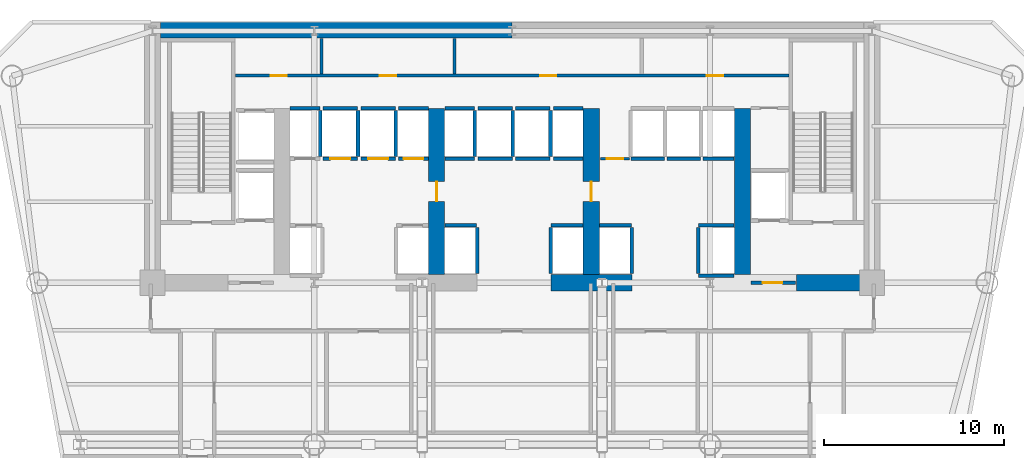
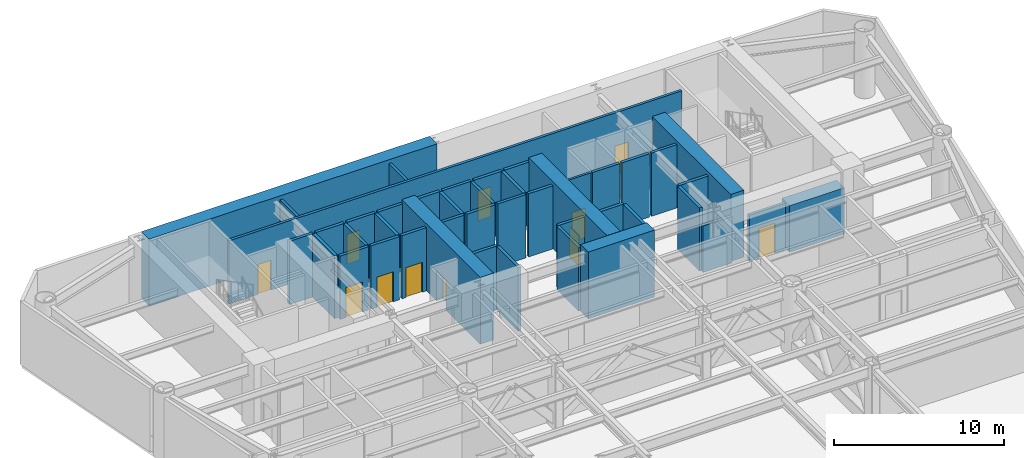
# One storey, part 5 of 10: 44 walls, 11 doors, 11 openings.
"""IFC4 building model written with IfcOpenShell, lengths in metres."""

from ifc_helpers import new_model, si_unit, direction, frame, frame_2d, origin, place, context, subcontext, project, spatial, rectangle, extrude, source, transform, mapped, material, layer, layer_set, type_object, element, fill, save


model = new_model("IFC4")

# Units and contexts
model_context = context("Model", 3, precision=1e-05, world=origin(), true_north=direction((0.0, 1.0)))
body_context = subcontext(model_context, "Body", "Model", "MODEL_VIEW")
ifc_project = project(units=[si_unit("LENGTHUNIT", "METRE"), si_unit("AREAUNIT", "SQUARE_METRE"), si_unit("VOLUMEUNIT", "CUBIC_METRE"), si_unit("PLANEANGLEUNIT", "RADIAN"), si_unit("MASSUNIT", "GRAM", prefix="KILO")], contexts=[model_context])

# Site, building, storey
site_placement = place(None, origin())
site = spatial("IfcSite", under=ifc_project, at=site_placement, CompositionType="ELEMENT")
building_placement = place(site_placement, origin())
building = spatial("IfcBuilding", under=site, at=building_placement, Name="Vaeldorn Concourse Tower", CompositionType="ELEMENT")
storey_placement = place(building_placement, frame((0.0, 0.0, 83.39990234375)))
storey = spatial("IfcBuildingStorey", under=building, at=storey_placement, Name="L21", CompositionType="ELEMENT", Elevation=83.39990234375)

# Walls
ifc_material_1 = material(Name="Concrete C60/75", Category="concrete")
ifc_layer_1 = layer(ifc_material_1, 0.89990234375)
ifc_layer_set_1 = layer_set([ifc_layer_1], Name="Concrete C60/75")
wall_type_1 = type_object("IfcWallType", Name="WL-CORE-900", PredefinedType="SHEAR", material=ifc_layer_set_1)
wall_1_placement = place(storey_placement, frame((14.4541015625, 50.550048828125, 0.0), z_axis=(0.0, 0.0, 1.0), x_axis=(1.0, 0.0, 0.0)))
element("IfcWall", 1, at=wall_1_placement, inside=storey, type_object=wall_type_1, Name="Rear Core Shear Wall L21 N1", PredefinedType="SHEAR", context=body_context, shape_type="SweptSolid", body=[
    extrude(rectangle(XDim=19.5439453125, YDim=0.89990234375, at=frame_2d((9.77197265625, 0.0))), origin(), (0.0, 0.0, 1.0), 4.800048828125),
])
wall_2_placement = place(storey_placement, frame((36.14990234375, 36.5, 0.0), z_axis=(0.0, 0.0, 1.0), x_axis=(1.0, 0.0, 0.0)))
element("IfcWall", 2, at=wall_2_placement, inside=storey, type_object=wall_type_1, Name="Rear Core Shear Wall L21 S3", PredefinedType="SHEAR", context=body_context, shape_type="SweptSolid", body=[
    extrude(rectangle(XDim=4.5, YDim=0.89990234375, at=frame_2d((2.25, 0.0))), origin(), (0.0, 0.0, 1.0), 4.800048828125),
])
wall_3_placement = place(storey_placement, frame((49.800048828125, 36.5, 0.0), z_axis=(0.0, 0.0, 1.0), x_axis=(1.0, 0.0, 0.0)))
element("IfcWall", 3, at=wall_3_placement, inside=storey, type_object=wall_type_1, Name="Rear Core Shear Wall L21 S4", PredefinedType="SHEAR", context=body_context, shape_type="SweptSolid", body=[
    extrude(rectangle(XDim=3.72998046875, YDim=0.89990234375, at=frame_2d((1.864990234375, 0.0))), origin(), (0.0, 0.0, 1.0), 3.340087890625),
])

# Wall, opening, door
wall_4_placement = place(storey_placement, frame((29.800048828125, 36.969970703125, 0.0), z_axis=(0.0, 0.0, 1.0), x_axis=(0.0, 1.0, 0.0)))
wall_4 = element("IfcWall", 4, at=wall_4_placement, inside=storey, type_object=wall_type_1, Name="Rear Core Shear Wall L21 M2", PredefinedType="SHEAR", context=body_context, shape_type="SweptSolid", body=[
    extrude(rectangle(XDim=9.22998046875, YDim=0.89990234375, at=frame_2d((4.614990234375, 0.0))), origin(), (0.0, 0.0, 1.0), 4.800048828125),
])
opening_1_placement = place(wall_4_placement, frame((4.050048828125, 0.0, 0.0)))
opening_1 = element("IfcOpeningElement", 5, at=opening_1_placement, cuts=wall_4, Name="Opening D-01", PredefinedType="OPENING", context=body_context, shape_type="SweptSolid", body=[
    extrude(rectangle(XDim=1.10009765625, YDim=2.14990234375, at=frame_2d((0.550048828125, 1.074951171875))), frame((0.0, 0.4599609375, 0.0), z_axis=(0.0, -1.0, 0.0), x_axis=(1.0, 0.0, 0.0)), (0.0, 0.0, 1.0), 0.919921875),
])
ifc_material_2 = material(Name="Fire-Rated Timber and Steel Leaf", Category="steel")
door_type_1 = type_object("IfcDoorType", Name="DR-FD60-1100", OperationType="NOTDEFINED", PredefinedType="DOOR", material=ifc_material_2)
shared_shape_1 = source(origin(), body_context, "Body", "SweptSolid", [
    extrude(rectangle(XDim=1.10009765625, YDim=2.14990234375, at=frame_2d((0.550048828125, 1.074951171875))), frame((0.0, 0.02490234375, 0.0), z_axis=(0.0, -1.0, 0.0), x_axis=(1.0, 0.0, 0.0)), (0.0, 0.0, 1.0), 0.050048828125),
])
door_1_placement = place(opening_1_placement, origin())
door_1 = element("IfcDoor", 6, at=door_1_placement, inside=storey, type_object=door_type_1, Name="Interior Door DR-L21-CBM2", OperationType="SINGLE_SWING_LEFT", OverallHeight=2.14990234375, OverallWidth=1.10009765625, PredefinedType="DOOR", context=body_context, shape_type="MappedRepresentation", body=[
    mapped(shared_shape_1, transform((0.0, 0.0, 0.0), scale=1.0)),
])
fill(opening_1, door_1)

wall_5_placement = place(storey_placement, frame((38.39990234375, 36.969970703125, 0.0), z_axis=(0.0, 0.0, 1.0), x_axis=(0.0, 1.0, 0.0)))
wall_5 = element("IfcWall", 7, at=wall_5_placement, inside=storey, type_object=wall_type_1, Name="Rear Core Shear Wall L21 M3", PredefinedType="SHEAR", context=body_context, shape_type="SweptSolid", body=[
    extrude(rectangle(XDim=9.22998046875, YDim=0.89990234375, at=frame_2d((4.614990234375, 0.0))), origin(), (0.0, 0.0, 1.0), 4.800048828125),
])
opening_2_placement = place(wall_5_placement, frame((4.050048828125, 0.0, 0.0)))
opening_2 = element("IfcOpeningElement", 8, at=opening_2_placement, cuts=wall_5, Name="Opening D-01", PredefinedType="OPENING", context=body_context, shape_type="SweptSolid", body=[
    extrude(rectangle(XDim=1.10009765625, YDim=2.14990234375, at=frame_2d((0.550048828125, 1.074951171875))), frame((0.0, 0.4599609375, 0.0), z_axis=(0.0, -1.0, 0.0), x_axis=(1.0, 0.0, 0.0)), (0.0, 0.0, 1.0), 0.919921875),
])
door_2_placement = place(opening_2_placement, origin())
door_2 = element("IfcDoor", 9, at=door_2_placement, inside=storey, type_object=door_type_1, Name="Interior Door DR-L21-CBM3", OperationType="SINGLE_SWING_RIGHT", OverallHeight=2.14990234375, OverallWidth=1.10009765625, PredefinedType="DOOR", context=body_context, shape_type="MappedRepresentation", body=[
    mapped(shared_shape_1, transform((0.0, 0.0, 0.0), scale=1.0)),
])
fill(opening_2, door_2)

# Wall
wall_6_placement = place(storey_placement, frame((46.800048828125, 36.969970703125, 0.0), z_axis=(0.0, 0.0, 1.0), x_axis=(0.0, 1.0, 0.0)))
element("IfcWall", 10, at=wall_6_placement, inside=storey, type_object=wall_type_1, Name="Rear Core Shear Wall L21 M4", PredefinedType="SHEAR", context=body_context, shape_type="SweptSolid", body=[
    extrude(rectangle(XDim=9.22998046875, YDim=0.89990234375, at=frame_2d((4.614990234375, 0.0))), origin(), (0.0, 0.0, 1.0), 4.800048828125),
])

# Wall, opening, door
ifc_material_3 = material(Name="Gypsum Board Partition", Category="gypsum")
ifc_layer_2 = layer(ifc_material_3, 0.14990234375)
ifc_layer_set_2 = layer_set([ifc_layer_2], Name="Gypsum Board Partition")
wall_type_2 = type_object("IfcWallType", Name="WL-PART-150", PredefinedType="PARTITIONING", material=ifc_layer_set_2)
wall_7_placement = place(storey_placement, frame((38.919921875, 43.39990234375, 0.0), z_axis=(0.0, 0.0, 1.0), x_axis=(1.0, 0.0, 0.0)))
wall_7 = element("IfcWall", 11, at=wall_7_placement, inside=storey, type_object=wall_type_2, Name="Interior Wall CW-L21-CCLINK", PredefinedType="PARTITIONING", context=body_context, shape_type="SweptSolid", body=[
    extrude(rectangle(XDim=1.60009765625, YDim=0.14990234375, at=frame_2d((0.800048828125, 0.0))), origin(), (0.0, 0.0, 1.0), 4.5400390625),
])
opening_3_placement = place(wall_7_placement, frame((0.35009765625, 0.0, 0.0)))
opening_3 = element("IfcOpeningElement", 12, at=opening_3_placement, cuts=wall_7, Name="Opening D-02", PredefinedType="OPENING", context=body_context, shape_type="SweptSolid", body=[
    extrude(rectangle(XDim=0.89990234375, YDim=2.10009765625, at=frame_2d((0.449951171875, 1.050048828125))), frame((0.0, 0.0849609375, 0.0), z_axis=(0.0, -1.0, 0.0), x_axis=(1.0, 0.0, 0.0)), (0.0, 0.0, 1.0), 0.169921875),
])
ifc_material_4 = material(Name="Fire-Rated Timber Leaf", Category="wood")
door_type_2 = type_object("IfcDoorType", Name="DR-FD30-900", OperationType="NOTDEFINED", PredefinedType="DOOR", material=ifc_material_4)
shared_shape_2 = source(origin(), body_context, "Body", "SweptSolid", [
    extrude(rectangle(XDim=0.89990234375, YDim=2.10009765625, at=frame_2d((0.449951171875, 1.050048828125))), frame((0.0, 0.02490234375, 0.0), z_axis=(0.0, -1.0, 0.0), x_axis=(1.0, 0.0, 0.0)), (0.0, 0.0, 1.0), 0.050048828125),
])
door_3_placement = place(opening_3_placement, origin())
door_3 = element("IfcDoor", 13, at=door_3_placement, inside=storey, type_object=door_type_2, Name="Interior Door DR-L21-CCLINK", OperationType="SINGLE_SWING_LEFT", OverallHeight=2.10009765625, OverallWidth=0.89990234375, PredefinedType="DOOR", context=body_context, shape_type="MappedRepresentation", body=[
    mapped(shared_shape_2, transform((0.0, 0.0, 0.0), scale=1.0)),
])
fill(opening_3, door_3)

# Wall, openings, doors
ifc_layer_3 = layer(ifc_material_3, 0.179931640625)
ifc_layer_set_3 = layer_set([ifc_layer_3], Name="Gypsum Board Partition")
wall_type_3 = type_object("IfcWallType", Name="WL-PLUMB-180", PredefinedType="PLUMBINGWALL", material=ifc_layer_set_3)
wall_8_placement = place(storey_placement, frame((18.6201171875, 48.02001953125, 0.0), z_axis=(0.0, 0.0, 1.0), x_axis=(1.0, 0.0, 0.0)))
wall_8 = element("IfcWall", 14, at=wall_8_placement, inside=storey, type_object=wall_type_3, Name="Interior Wall CW-L21-NS0", PredefinedType="PLUMBINGWALL", context=body_context, shape_type="SweptSolid", body=[
    extrude(rectangle(XDim=30.759765625, YDim=0.179931640625, at=frame_2d((15.3798828125, 0.0))), origin(), (0.0, 0.0, 1.0), 4.5400390625),
])
opening_4_placement = place(wall_8_placement, frame((1.955078125, 0.0, 0.0)))
opening_4 = element("IfcOpeningElement", 15, at=opening_4_placement, cuts=wall_8, Name="Opening D-03", PredefinedType="OPENING", context=body_context, shape_type="SweptSolid", body=[
    extrude(rectangle(XDim=0.89990234375, YDim=2.14990234375, at=frame_2d((0.449951171875, 1.074951171875))), frame((0.0, 0.10009765625, 0.0), z_axis=(0.0, -1.0, 0.0), x_axis=(1.0, 0.0, 0.0)), (0.0, 0.0, 1.0), 0.199951171875),
])
opening_5_placement = place(wall_8_placement, frame((8.030029296875, 0.0, 0.0)))
opening_5 = element("IfcOpeningElement", 16, at=opening_5_placement, cuts=wall_8, Name="Opening D-03", PredefinedType="OPENING", context=body_context, shape_type="SweptSolid", body=[
    extrude(rectangle(XDim=0.89990234375, YDim=2.14990234375, at=frame_2d((0.449951171875, 1.074951171875))), frame((0.0, 0.10009765625, 0.0), z_axis=(0.0, -1.0, 0.0), x_axis=(1.0, 0.0, 0.0)), (0.0, 0.0, 1.0), 0.199951171875),
])
opening_6_placement = place(wall_8_placement, frame((16.929931640625, 0.0, 0.0)))
opening_6 = element("IfcOpeningElement", 17, at=opening_6_placement, cuts=wall_8, Name="Opening D-03", PredefinedType="OPENING", context=body_context, shape_type="SweptSolid", body=[
    extrude(rectangle(XDim=0.89990234375, YDim=2.14990234375, at=frame_2d((0.449951171875, 1.074951171875))), frame((0.0, 0.10009765625, 0.0), z_axis=(0.0, -1.0, 0.0), x_axis=(1.0, 0.0, 0.0)), (0.0, 0.0, 1.0), 0.199951171875),
])
opening_7_placement = place(wall_8_placement, frame((26.205078125, 0.0, 0.0)))
opening_7 = element("IfcOpeningElement", 18, at=opening_7_placement, cuts=wall_8, Name="Opening D-03", PredefinedType="OPENING", context=body_context, shape_type="SweptSolid", body=[
    extrude(rectangle(XDim=0.89990234375, YDim=2.14990234375, at=frame_2d((0.449951171875, 1.074951171875))), frame((0.0, 0.10009765625, 0.0), z_axis=(0.0, -1.0, 0.0), x_axis=(1.0, 0.0, 0.0)), (0.0, 0.0, 1.0), 0.199951171875),
])
ifc_material_5 = material(Name="Acoustic Bronze-Framed Glass Door", Category="glass")
door_type_3 = type_object("IfcDoorType", Name="DR-INT-900", OperationType="NOTDEFINED", PredefinedType="DOOR", material=ifc_material_5)
shared_shape_3 = source(origin(), body_context, "Body", "SweptSolid", [
    extrude(rectangle(XDim=0.89990234375, YDim=2.14990234375, at=frame_2d((0.449951171875, 1.074951171875))), frame((0.0, 0.02490234375, 0.0), z_axis=(0.0, -1.0, 0.0), x_axis=(1.0, 0.0, 0.0)), (0.0, 0.0, 1.0), 0.050048828125),
])
door_4_placement = place(opening_4_placement, origin())
door_4 = element("IfcDoor", 19, at=door_4_placement, inside=storey, type_object=door_type_3, Name="Interior Door DR-L21-CS1", OperationType="SINGLE_SWING_LEFT", OverallHeight=2.14990234375, OverallWidth=0.89990234375, PredefinedType="DOOR", context=body_context, shape_type="MappedRepresentation", body=[
    mapped(shared_shape_3, transform((0.0, 0.0, 0.0), scale=1.0)),
])
fill(opening_4, door_4)
door_5_placement = place(opening_5_placement, origin())
door_5 = element("IfcDoor", 20, at=door_5_placement, inside=storey, type_object=door_type_3, Name="Interior Door DR-L21-CS2", OperationType="SINGLE_SWING_RIGHT", OverallHeight=2.14990234375, OverallWidth=0.89990234375, PredefinedType="DOOR", context=body_context, shape_type="MappedRepresentation", body=[
    mapped(shared_shape_3, transform((0.0, 0.0, 0.0), scale=1.0)),
])
fill(opening_5, door_5)
door_6_placement = place(opening_6_placement, origin())
door_6 = element("IfcDoor", 21, at=door_6_placement, inside=storey, type_object=door_type_3, Name="Interior Door DR-L21-CS3", OperationType="SINGLE_SWING_LEFT", OverallHeight=2.14990234375, OverallWidth=0.89990234375, PredefinedType="DOOR", context=body_context, shape_type="MappedRepresentation", body=[
    mapped(shared_shape_3, transform((0.0, 0.0, 0.0), scale=1.0)),
])
fill(opening_6, door_6)
door_7_placement = place(opening_7_placement, origin())
door_7 = element("IfcDoor", 22, at=door_7_placement, inside=storey, type_object=door_type_3, Name="Interior Door DR-L21-CS4", OperationType="SINGLE_SWING_RIGHT", OverallHeight=2.14990234375, OverallWidth=0.89990234375, PredefinedType="DOOR", context=body_context, shape_type="MappedRepresentation", body=[
    mapped(shared_shape_3, transform((0.0, 0.0, 0.0), scale=1.0)),
])
fill(opening_7, door_7)

# Walls
for number, where, z_axis, x_axis, name in (
    (23, (23.39990234375, 48.10009765625, 0.0), (0.0, 0.0, 1.0), (0.0, 1.0, 0.0), "Interior Wall CW-L21-NDIV1"),
    (24, (30.800048828125, 48.10009765625, 0.0), (0.0, 0.0, 1.0), (0.0, 1.0, 0.0), "Interior Wall CW-L21-NDIV2"),
):
    element("IfcWall", number, at=place(storey_placement, frame(where, z_axis=z_axis, x_axis=x_axis)), inside=storey, type_object=wall_type_3, Name=name, PredefinedType="PLUMBINGWALL", context=body_context, shape_type="SweptSolid", body=[
        extrude(rectangle(XDim=1.97998046875, YDim=0.179931640625, at=frame_2d((0.989990234375, 0.0))), origin(), (0.0, 0.0, 1.0), 4.5400390625),
    ])

# Wall, opening, door
ifc_material_6 = material(Name="Concrete C50/60", Category="concrete")
ifc_layer_4 = layer(ifc_material_6, 0.199951171875)
ifc_layer_set_4 = layer_set([ifc_layer_4], Name="Concrete C50/60")
wall_type_4 = type_object("IfcWallType", Name="WL-SHAFT-200", PredefinedType="SOLIDWALL", material=ifc_layer_set_4)
wall_9_placement = place(storey_placement, frame((47.280029296875, 36.5, 0.0), z_axis=(0.0, 0.0, 1.0), x_axis=(1.0, 0.0, 0.0)))
wall_9 = element("IfcWall", 25, at=wall_9_placement, inside=storey, type_object=wall_type_4, Name="Interior Wall CW-L21-FF2S", PredefinedType="SOLIDWALL", context=body_context, shape_type="SweptSolid", body=[
    extrude(rectangle(XDim=2.469970703125, YDim=0.199951171875, at=frame_2d((1.23486328125, 0.0))), origin(), (0.0, 0.0, 1.0), 3.330078125),
])
opening_8_placement = place(wall_9_placement, frame((0.64990234375, 0.0, 0.0)))
opening_8 = element("IfcOpeningElement", 26, at=opening_8_placement, cuts=wall_9, Name="Opening D-01", PredefinedType="OPENING", context=body_context, shape_type="SweptSolid", body=[
    extrude(rectangle(XDim=1.10009765625, YDim=2.14990234375, at=frame_2d((0.550048828125, 1.074951171875))), frame((0.0, 0.10986328125, 0.0), z_axis=(0.0, -1.0, 0.0), x_axis=(1.0, 0.0, 0.0)), (0.0, 0.0, 1.0), 0.219970703125),
])
door_8_placement = place(opening_8_placement, origin())
door_8 = element("IfcDoor", 27, at=door_8_placement, inside=storey, type_object=door_type_1, Name="Interior Door DR-L21-FF2W", OperationType="SINGLE_SWING_LEFT", OverallHeight=2.14990234375, OverallWidth=1.10009765625, PredefinedType="DOOR", context=body_context, shape_type="MappedRepresentation", body=[
    mapped(shared_shape_1, transform((0.0, 0.0, 0.0), scale=1.0)),
])
fill(opening_8, door_8)

# Walls
wall_10_placement = place(storey_placement, frame((21.659912109375, 46.199951171875, 0.0), z_axis=(0.0, 0.0, 1.0), x_axis=(1.0, 0.0, 0.0)))
element("IfcWall", 28, at=wall_10_placement, inside=storey, type_object=wall_type_4, Name="Interior Wall CW-L21-LFB-LF-03", PredefinedType="SOLIDWALL", context=body_context, shape_type="SweptSolid", body=[
    extrude(rectangle(XDim=1.650146484375, YDim=0.199951171875, at=frame_2d((0.8251953125, 0.0))), origin(), (0.0, 0.0, 1.0), 4.5400390625),
])
wall_11_placement = place(storey_placement, frame((23.330078125, 43.52001953125, 0.0), z_axis=(0.0, 0.0, 1.0), x_axis=(0.0, 1.0, 0.0)))
element("IfcWall", 29, at=wall_11_placement, inside=storey, type_object=wall_type_4, Name="Interior Wall CW-L21-LFE-LF-03", PredefinedType="SOLIDWALL", context=body_context, shape_type="SweptSolid", body=[
    extrude(rectangle(XDim=2.56005859375, YDim=0.199951171875, at=frame_2d((1.280029296875, 0.0))), origin(), (0.0, 0.0, 1.0), 4.5400390625),
])

# Wall, opening, door
wall_12_placement = place(storey_placement, frame((23.489990234375, 43.39990234375, 0.0), z_axis=(0.0, 0.0, 1.0), x_axis=(1.0, 0.0, 0.0)))
wall_12 = element("IfcWall", 30, at=wall_12_placement, inside=storey, type_object=wall_type_4, Name="Interior Wall CW-L21-LF-LF-04", PredefinedType="SOLIDWALL", context=body_context, shape_type="SweptSolid", body=[
    extrude(rectangle(XDim=1.919921875, YDim=0.199951171875, at=frame_2d((0.9599609375, 0.0))), origin(), (0.0, 0.0, 1.0), 4.5400390625),
])
opening_9_placement = place(wall_12_placement, frame((0.409912109375, 0.0, 0.0)))
opening_9 = element("IfcOpeningElement", 31, at=opening_9_placement, cuts=wall_12, Name="Opening LD-1", PredefinedType="OPENING", context=body_context, shape_type="SweptSolid", body=[
    extrude(rectangle(XDim=1.10009765625, YDim=2.14990234375, at=frame_2d((0.550048828125, 1.074951171875))), frame((0.0, 0.10986328125, 0.0), z_axis=(0.0, -1.0, 0.0), x_axis=(1.0, 0.0, 0.0)), (0.0, 0.0, 1.0), 0.219970703125),
])
ifc_material_7 = material(Name="Anodised Bronze Aluminium", Category="aluminium")
door_type_4 = type_object("IfcDoorType", Name="DR-LIFT-SLIDE-1100", OperationType="DOUBLE_DOOR_SLIDING", PredefinedType="DOOR", material=ifc_material_7)
door_9_placement = place(opening_9_placement, origin())
door_9 = element("IfcDoor", 32, at=door_9_placement, inside=storey, type_object=door_type_4, Name="Lift Landing Door LD-L21-LF-04", OperationType="DOUBLE_DOOR_SLIDING", OverallHeight=2.14990234375, OverallWidth=1.10009765625, PredefinedType="DOOR", context=body_context, shape_type="MappedRepresentation", body=[
    mapped(shared_shape_1, transform((0.0, 0.0, 0.0), scale=1.0)),
])
fill(opening_9, door_9)

# Walls
wall_13_placement = place(storey_placement, frame((23.489990234375, 46.199951171875, 0.0), z_axis=(0.0, 0.0, 1.0), x_axis=(1.0, 0.0, 0.0)))
element("IfcWall", 33, at=wall_13_placement, inside=storey, type_object=wall_type_4, Name="Interior Wall CW-L21-LFB-LF-04", PredefinedType="SOLIDWALL", context=body_context, shape_type="SweptSolid", body=[
    extrude(rectangle(XDim=1.919921875, YDim=0.199951171875, at=frame_2d((0.9599609375, 0.0))), origin(), (0.0, 0.0, 1.0), 4.5400390625),
])
wall_14_placement = place(storey_placement, frame((25.429931640625, 43.52001953125, 0.0), z_axis=(0.0, 0.0, 1.0), x_axis=(0.0, 1.0, 0.0)))
element("IfcWall", 34, at=wall_14_placement, inside=storey, type_object=wall_type_4, Name="Interior Wall CW-L21-LFE-LF-04", PredefinedType="SOLIDWALL", context=body_context, shape_type="SweptSolid", body=[
    extrude(rectangle(XDim=2.56005859375, YDim=0.199951171875, at=frame_2d((1.280029296875, 0.0))), origin(), (0.0, 0.0, 1.0), 4.5400390625),
])

# Wall, opening, door
wall_15_placement = place(storey_placement, frame((25.590087890625, 43.39990234375, 0.0), z_axis=(0.0, 0.0, 1.0), x_axis=(1.0, 0.0, 0.0)))
wall_15 = element("IfcWall", 35, at=wall_15_placement, inside=storey, type_object=wall_type_4, Name="Interior Wall CW-L21-LF-LF-05", PredefinedType="SOLIDWALL", context=body_context, shape_type="SweptSolid", body=[
    extrude(rectangle(XDim=1.919921875, YDim=0.199951171875, at=frame_2d((0.9599609375, 0.0))), origin(), (0.0, 0.0, 1.0), 4.5400390625),
])
opening_10_placement = place(wall_15_placement, frame((0.409912109375, 0.0, 0.0)))
opening_10 = element("IfcOpeningElement", 36, at=opening_10_placement, cuts=wall_15, Name="Opening LD-1", PredefinedType="OPENING", context=body_context, shape_type="SweptSolid", body=[
    extrude(rectangle(XDim=1.10009765625, YDim=2.14990234375, at=frame_2d((0.550048828125, 1.074951171875))), frame((0.0, 0.10986328125, 0.0), z_axis=(0.0, -1.0, 0.0), x_axis=(1.0, 0.0, 0.0)), (0.0, 0.0, 1.0), 0.219970703125),
])
door_10_placement = place(opening_10_placement, origin())
door_10 = element("IfcDoor", 37, at=door_10_placement, inside=storey, type_object=door_type_4, Name="Lift Landing Door LD-L21-LF-05", OperationType="DOUBLE_DOOR_SLIDING", OverallHeight=2.14990234375, OverallWidth=1.10009765625, PredefinedType="DOOR", context=body_context, shape_type="MappedRepresentation", body=[
    mapped(shared_shape_1, transform((0.0, 0.0, 0.0), scale=1.0)),
])
fill(opening_10, door_10)

# Walls
wall_16_placement = place(storey_placement, frame((25.590087890625, 46.199951171875, 0.0), z_axis=(0.0, 0.0, 1.0), x_axis=(1.0, 0.0, 0.0)))
element("IfcWall", 38, at=wall_16_placement, inside=storey, type_object=wall_type_4, Name="Interior Wall CW-L21-LFB-LF-05", PredefinedType="SOLIDWALL", context=body_context, shape_type="SweptSolid", body=[
    extrude(rectangle(XDim=1.919921875, YDim=0.199951171875, at=frame_2d((0.9599609375, 0.0))), origin(), (0.0, 0.0, 1.0), 4.5400390625),
])
wall_17_placement = place(storey_placement, frame((27.530029296875, 43.52001953125, 0.0), z_axis=(0.0, 0.0, 1.0), x_axis=(0.0, 1.0, 0.0)))
element("IfcWall", 39, at=wall_17_placement, inside=storey, type_object=wall_type_4, Name="Interior Wall CW-L21-LFE-LF-05", PredefinedType="SOLIDWALL", context=body_context, shape_type="SweptSolid", body=[
    extrude(rectangle(XDim=2.56005859375, YDim=0.199951171875, at=frame_2d((1.280029296875, 0.0))), origin(), (0.0, 0.0, 1.0), 4.5400390625),
])

# Wall, opening, door
wall_18_placement = place(storey_placement, frame((27.68994140625, 43.39990234375, 0.0), z_axis=(0.0, 0.0, 1.0), x_axis=(1.0, 0.0, 0.0)))
wall_18 = element("IfcWall", 40, at=wall_18_placement, inside=storey, type_object=wall_type_4, Name="Interior Wall CW-L21-LF-LF-06", PredefinedType="SOLIDWALL", context=body_context, shape_type="SweptSolid", body=[
    extrude(rectangle(XDim=1.650146484375, YDim=0.199951171875, at=frame_2d((0.8251953125, 0.0))), origin(), (0.0, 0.0, 1.0), 4.5400390625),
])
opening_11_placement = place(wall_18_placement, frame((0.27490234375, 0.0, 0.0)))
opening_11 = element("IfcOpeningElement", 41, at=opening_11_placement, cuts=wall_18, Name="Opening LD-1", PredefinedType="OPENING", context=body_context, shape_type="SweptSolid", body=[
    extrude(rectangle(XDim=1.10009765625, YDim=2.14990234375, at=frame_2d((0.550048828125, 1.074951171875))), frame((0.0, 0.10986328125, 0.0), z_axis=(0.0, -1.0, 0.0), x_axis=(1.0, 0.0, 0.0)), (0.0, 0.0, 1.0), 0.219970703125),
])
door_11_placement = place(opening_11_placement, origin())
door_11 = element("IfcDoor", 42, at=door_11_placement, inside=storey, type_object=door_type_4, Name="Lift Landing Door LD-L21-LF-06", OperationType="DOUBLE_DOOR_SLIDING", OverallHeight=2.14990234375, OverallWidth=1.10009765625, PredefinedType="DOOR", context=body_context, shape_type="MappedRepresentation", body=[
    mapped(shared_shape_1, transform((0.0, 0.0, 0.0), scale=1.0)),
])
fill(opening_11, door_11)

# Walls
wall_19_placement = place(storey_placement, frame((27.68994140625, 46.199951171875, 0.0), z_axis=(0.0, 0.0, 1.0), x_axis=(1.0, 0.0, 0.0)))
element("IfcWall", 43, at=wall_19_placement, inside=storey, type_object=wall_type_4, Name="Interior Wall CW-L21-LFB-LF-06", PredefinedType="SOLIDWALL", context=body_context, shape_type="SweptSolid", body=[
    extrude(rectangle(XDim=1.650146484375, YDim=0.199951171875, at=frame_2d((0.8251953125, 0.0))), origin(), (0.0, 0.0, 1.0), 4.5400390625),
])
wall_20_placement = place(storey_placement, frame((30.260009765625, 39.699951171875, 0.0), z_axis=(0.0, 0.0, 1.0), x_axis=(1.0, 0.0, 0.0)))
element("IfcWall", 44, at=wall_20_placement, inside=storey, type_object=wall_type_4, Name="Interior Wall CW-L21-LF-LF-07", PredefinedType="SOLIDWALL", context=body_context, shape_type="SweptSolid", body=[
    extrude(rectangle(XDim=1.77001953125, YDim=0.199951171875, at=frame_2d((0.885009765625, 0.0))), origin(), (0.0, 0.0, 1.0), 4.5400390625),
])
wall_21_placement = place(storey_placement, frame((32.050048828125, 37.02001953125, 0.0), z_axis=(0.0, 0.0, 1.0), x_axis=(0.0, 1.0, 0.0)))
element("IfcWall", 45, at=wall_21_placement, inside=storey, type_object=wall_type_4, Name="Interior Wall CW-L21-LFE-LF-07", PredefinedType="SOLIDWALL", context=body_context, shape_type="SweptSolid", body=[
    extrude(rectangle(XDim=2.56005859375, YDim=0.199951171875, at=frame_2d((1.280029296875, 0.0))), origin(), (0.0, 0.0, 1.0), 4.5400390625),
])
wall_22_placement = place(storey_placement, frame((36.169921875, 39.699951171875, 0.0), z_axis=(0.0, 0.0, 1.0), x_axis=(1.0, 0.0, 0.0)))
element("IfcWall", 46, at=wall_22_placement, inside=storey, type_object=wall_type_4, Name="Interior Wall CW-L21-LF-LF-08", PredefinedType="SOLIDWALL", context=body_context, shape_type="SweptSolid", body=[
    extrude(rectangle(XDim=1.77001953125, YDim=0.199951171875, at=frame_2d((0.885009765625, 0.0))), origin(), (0.0, 0.0, 1.0), 4.5400390625),
])
wall_23_placement = place(storey_placement, frame((36.14990234375, 37.02001953125, 0.0), z_axis=(0.0, 0.0, 1.0), x_axis=(0.0, 1.0, 0.0)))
element("IfcWall", 47, at=wall_23_placement, inside=storey, type_object=wall_type_4, Name="Interior Wall CW-L21-LFW-LF-08", PredefinedType="SOLIDWALL", context=body_context, shape_type="SweptSolid", body=[
    extrude(rectangle(XDim=2.56005859375, YDim=0.199951171875, at=frame_2d((1.280029296875, 0.0))), origin(), (0.0, 0.0, 1.0), 4.5400390625),
])
for number, where, z_axis, x_axis, name in (
    (48, (30.260009765625, 43.39990234375, 0.0), (0.0, 0.0, 1.0), (1.0, 0.0, 0.0), "Interior Wall CW-L21-LF-LF-09"),
    (49, (30.260009765625, 46.199951171875, 0.0), (0.0, 0.0, 1.0), (1.0, 0.0, 0.0), "Interior Wall CW-L21-LFB-LF-09"),
):
    element("IfcWall", number, at=place(storey_placement, frame(where, z_axis=z_axis, x_axis=x_axis)), inside=storey, type_object=wall_type_4, Name=name, PredefinedType="SOLIDWALL", context=body_context, shape_type="SweptSolid", body=[
        extrude(rectangle(XDim=1.64990234375, YDim=0.199951171875, at=frame_2d((0.824951171875, 0.0))), origin(), (0.0, 0.0, 1.0), 4.5400390625),
    ])
wall_24_placement = place(storey_placement, frame((31.929931640625, 43.52001953125, 0.0), z_axis=(0.0, 0.0, 1.0), x_axis=(0.0, 1.0, 0.0)))
element("IfcWall", 50, at=wall_24_placement, inside=storey, type_object=wall_type_4, Name="Interior Wall CW-L21-LFE-LF-09", PredefinedType="SOLIDWALL", context=body_context, shape_type="SweptSolid", body=[
    extrude(rectangle(XDim=2.56005859375, YDim=0.199951171875, at=frame_2d((1.280029296875, 0.0))), origin(), (0.0, 0.0, 1.0), 4.5400390625),
])
for number, where, z_axis, x_axis, name in (
    (51, (32.090087890625, 43.39990234375, 0.0), (0.0, 0.0, 1.0), (1.0, 0.0, 0.0), "Interior Wall CW-L21-LF-LF-10"),
    (52, (32.090087890625, 46.199951171875, 0.0), (0.0, 0.0, 1.0), (1.0, 0.0, 0.0), "Interior Wall CW-L21-LFB-LF-10"),
):
    element("IfcWall", number, at=place(storey_placement, frame(where, z_axis=z_axis, x_axis=x_axis)), inside=storey, type_object=wall_type_4, Name=name, PredefinedType="SOLIDWALL", context=body_context, shape_type="SweptSolid", body=[
        extrude(rectangle(XDim=1.919921875, YDim=0.199951171875, at=frame_2d((0.9599609375, 0.0))), origin(), (0.0, 0.0, 1.0), 4.5400390625),
    ])
wall_25_placement = place(storey_placement, frame((34.030029296875, 43.52001953125, 0.0), z_axis=(0.0, 0.0, 1.0), x_axis=(0.0, 1.0, 0.0)))
element("IfcWall", 53, at=wall_25_placement, inside=storey, type_object=wall_type_4, Name="Interior Wall CW-L21-LFE-LF-10", PredefinedType="SOLIDWALL", context=body_context, shape_type="SweptSolid", body=[
    extrude(rectangle(XDim=2.56005859375, YDim=0.199951171875, at=frame_2d((1.280029296875, 0.0))), origin(), (0.0, 0.0, 1.0), 4.5400390625),
])
for number, where, z_axis, x_axis, name in (
    (54, (34.18994140625, 43.39990234375, 0.0), (0.0, 0.0, 1.0), (1.0, 0.0, 0.0), "Interior Wall CW-L21-LF-LF-11"),
    (55, (34.18994140625, 46.199951171875, 0.0), (0.0, 0.0, 1.0), (1.0, 0.0, 0.0), "Interior Wall CW-L21-LFB-LF-11"),
):
    element("IfcWall", number, at=place(storey_placement, frame(where, z_axis=z_axis, x_axis=x_axis)), inside=storey, type_object=wall_type_4, Name=name, PredefinedType="SOLIDWALL", context=body_context, shape_type="SweptSolid", body=[
        extrude(rectangle(XDim=1.920166015625, YDim=0.199951171875, at=frame_2d((0.9599609375, 0.0))), origin(), (0.0, 0.0, 1.0), 4.5400390625),
    ])
wall_26_placement = place(storey_placement, frame((36.1298828125, 43.52001953125, 0.0), z_axis=(0.0, 0.0, 1.0), x_axis=(0.0, 1.0, 0.0)))
element("IfcWall", 56, at=wall_26_placement, inside=storey, type_object=wall_type_4, Name="Interior Wall CW-L21-LFE-LF-11", PredefinedType="SOLIDWALL", context=body_context, shape_type="SweptSolid", body=[
    extrude(rectangle(XDim=2.56005859375, YDim=0.199951171875, at=frame_2d((1.280029296875, 0.0))), origin(), (0.0, 0.0, 1.0), 4.5400390625),
])
for number, where, z_axis, x_axis, name in (
    (57, (36.2900390625, 43.39990234375, 0.0), (0.0, 0.0, 1.0), (1.0, 0.0, 0.0), "Interior Wall CW-L21-LF-LF-12"),
    (58, (36.2900390625, 46.199951171875, 0.0), (0.0, 0.0, 1.0), (1.0, 0.0, 0.0), "Interior Wall CW-L21-LFB-LF-12"),
):
    element("IfcWall", number, at=place(storey_placement, frame(where, z_axis=z_axis, x_axis=x_axis)), inside=storey, type_object=wall_type_4, Name=name, PredefinedType="SOLIDWALL", context=body_context, shape_type="SweptSolid", body=[
        extrude(rectangle(XDim=1.64990234375, YDim=0.199951171875, at=frame_2d((0.824951171875, 0.0))), origin(), (0.0, 0.0, 1.0), 4.5400390625),
    ])
wall_27_placement = place(storey_placement, frame((38.860107421875, 39.699951171875, 0.0), z_axis=(0.0, 0.0, 1.0), x_axis=(1.0, 0.0, 0.0)))
element("IfcWall", 59, at=wall_27_placement, inside=storey, type_object=wall_type_4, Name="Interior Wall CW-L21-LF-LF-13", PredefinedType="SOLIDWALL", context=body_context, shape_type="SweptSolid", body=[
    extrude(rectangle(XDim=1.769775390625, YDim=0.199951171875, at=frame_2d((0.884765625, 0.0))), origin(), (0.0, 0.0, 1.0), 4.5400390625),
])
wall_28_placement = place(storey_placement, frame((40.64990234375, 37.02001953125, 0.0), z_axis=(0.0, 0.0, 1.0), x_axis=(0.0, 1.0, 0.0)))
element("IfcWall", 60, at=wall_28_placement, inside=storey, type_object=wall_type_4, Name="Interior Wall CW-L21-LFE-LF-13", PredefinedType="SOLIDWALL", context=body_context, shape_type="SweptSolid", body=[
    extrude(rectangle(XDim=2.56005859375, YDim=0.199951171875, at=frame_2d((1.280029296875, 0.0))), origin(), (0.0, 0.0, 1.0), 4.5400390625),
])
wall_29_placement = place(storey_placement, frame((44.3701171875, 39.699951171875, 0.0), z_axis=(0.0, 0.0, 1.0), x_axis=(1.0, 0.0, 0.0)))
element("IfcWall", 61, at=wall_29_placement, inside=storey, type_object=wall_type_4, Name="Interior Wall CW-L21-LF-LF-14", PredefinedType="SOLIDWALL", context=body_context, shape_type="SweptSolid", body=[
    extrude(rectangle(XDim=1.9599609375, YDim=0.199951171875, at=frame_2d((0.97998046875, 0.0))), origin(), (0.0, 0.0, 1.0), 4.5400390625),
])
wall_30_placement = place(storey_placement, frame((44.3701171875, 36.89990234375, 0.0), z_axis=(0.0, 0.0, 1.0), x_axis=(1.0, 0.0, 0.0)))
element("IfcWall", 62, at=wall_30_placement, inside=storey, type_object=wall_type_4, Name="Interior Wall CW-L21-LFB-LF-14", PredefinedType="SOLIDWALL", context=body_context, shape_type="SweptSolid", body=[
    extrude(rectangle(XDim=1.9599609375, YDim=0.199951171875, at=frame_2d((0.97998046875, 0.0))), origin(), (0.0, 0.0, 1.0), 3.330078125),
])
wall_31_placement = place(storey_placement, frame((44.35009765625, 37.02001953125, 0.0), z_axis=(0.0, 0.0, 1.0), x_axis=(0.0, 1.0, 0.0)))
element("IfcWall", 63, at=wall_31_placement, inside=storey, type_object=wall_type_4, Name="Interior Wall CW-L21-LFW-LF-14", PredefinedType="SOLIDWALL", context=body_context, shape_type="SweptSolid", body=[
    extrude(rectangle(XDim=2.56005859375, YDim=0.199951171875, at=frame_2d((1.280029296875, 0.0))), origin(), (0.0, 0.0, 1.0), 4.5400390625),
])
for number, where, z_axis, x_axis, name in (
    (64, (40.6201171875, 43.39990234375, 0.0), (0.0, 0.0, 1.0), (1.0, 0.0, 0.0), "Interior Wall CW-L21-LF-LF-15"),
    (65, (42.6201171875, 43.39990234375, 0.0), (0.0, 0.0, 1.0), (1.0, 0.0, 0.0), "Interior Wall CW-L21-LF-LF-16"),
):
    element("IfcWall", number, at=place(storey_placement, frame(where, z_axis=z_axis, x_axis=x_axis)), inside=storey, type_object=wall_type_4, Name=name, PredefinedType="SOLIDWALL", context=body_context, shape_type="SweptSolid", body=[
        extrude(rectangle(XDim=1.85986328125, YDim=0.199951171875, at=frame_2d((0.929931640625, 0.0))), origin(), (0.0, 0.0, 1.0), 4.5400390625),
    ])
wall_32_placement = place(storey_placement, frame((44.6201171875, 43.39990234375, 0.0), z_axis=(0.0, 0.0, 1.0), x_axis=(1.0, 0.0, 0.0)))
element("IfcWall", 66, at=wall_32_placement, inside=storey, type_object=wall_type_4, Name="Interior Wall CW-L21-LF-LF-17", PredefinedType="SOLIDWALL", context=body_context, shape_type="SweptSolid", body=[
    extrude(rectangle(XDim=1.719970703125, YDim=0.199951171875, at=frame_2d((0.85986328125, 0.0))), origin(), (0.0, 0.0, 1.0), 4.5400390625),
])

save(model, "model.ifc")
